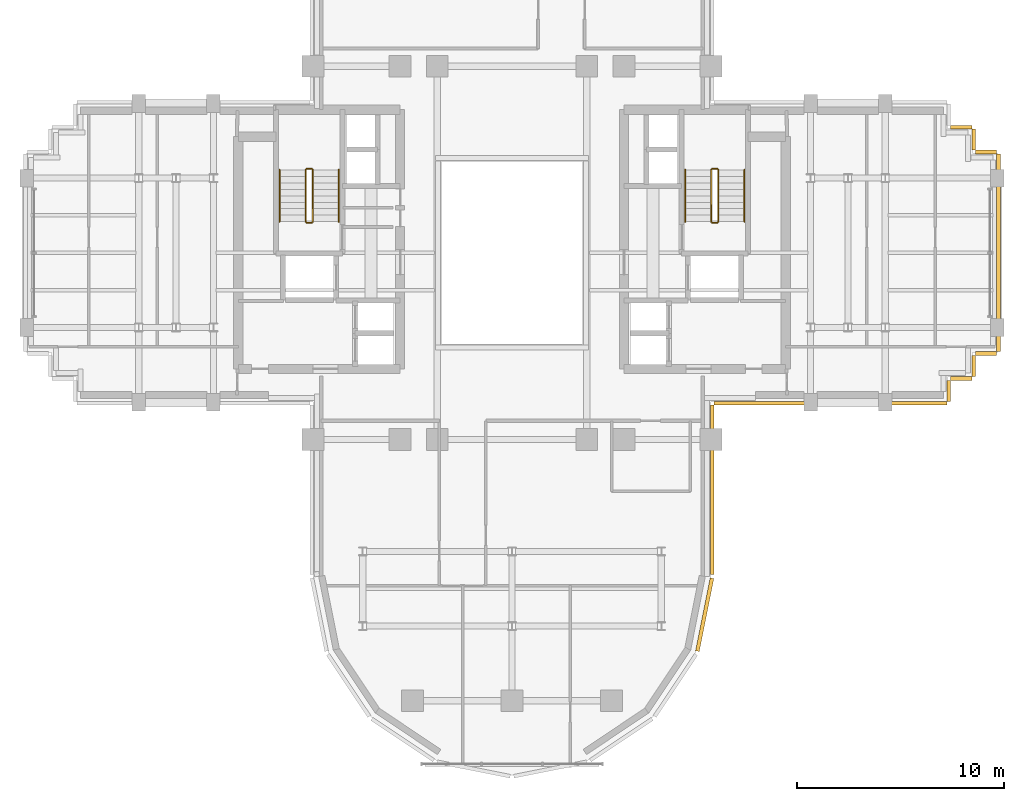
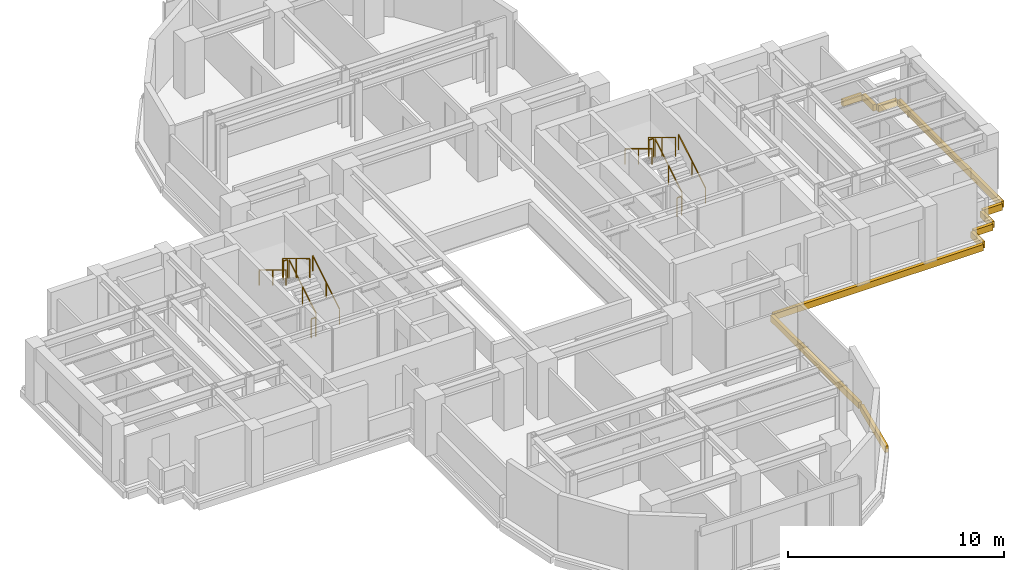
# One storey, part 13 of 14: 12 railings, 11 coverings.
"""IFC4 building model written with IfcOpenShell, lengths in metres."""

from ifc_helpers import new_model, si_unit, direction, frame, origin, origin_2d, place, context, subcontext, project, spatial, rectangle, extrude, source, transform, mapped, material, layer, layer_set, type_object, element, save


model = new_model("IFC4")

# Units and contexts
model_context = context("Model", 3, precision=1e-05, world=origin(), true_north=direction((0.0, 1.0)))
body_context = subcontext(model_context, "Body", "Model", "MODEL_VIEW")
ifc_project = project(units=[si_unit("LENGTHUNIT", "METRE"), si_unit("AREAUNIT", "SQUARE_METRE"), si_unit("VOLUMEUNIT", "CUBIC_METRE"), si_unit("PLANEANGLEUNIT", "RADIAN"), si_unit("MASSUNIT", "GRAM", prefix="KILO")], contexts=[model_context])

# Site, building, storey
site_placement = place(None, origin())
site = spatial("IfcSite", under=ifc_project, at=site_placement, CompositionType="ELEMENT")
building_placement = place(site_placement, origin())
building = spatial("IfcBuilding", under=site, at=building_placement, Name="Keilestroom Media Tower", CompositionType="ELEMENT")
storey_placement = place(building_placement, frame((0.0, 0.0, 117.60009765625)))
storey = spatial("IfcBuildingStorey", under=building, at=storey_placement, Name="L31", CompositionType="ELEMENT", Elevation=117.60009765625)

# Railings
ifc_material_1 = material(Name="Brushed Stainless Steel 1.4301", Category="steel")
railing_type_1 = type_object("IfcRailingType", Name="Stair-Pitch-Handrail-920", PredefinedType="HANDRAIL", material=ifc_material_1)
railing_1_placement = place(storey_placement, frame((-8.35009765625, 1.5, 0.188720703125)))
element("IfcRailing", 1, at=railing_1_placement, inside=storey, type_object=railing_type_1, Name="L31 ST-1 stair handrail 1", PredefinedType="HANDRAIL", context=body_context, shape_type="SweptSolid", body=[
    extrude(rectangle(XDim=0.048095703125, YDim=0.048095703125, at=origin_2d()), frame((0.0, 0.0, 0.8759765625), z_axis=(0.0, 0.855433747314, 0.517912255074), x_axis=(-1.0, 0.0, 0.0)), (0.0, 0.0, 1.0), 2.91796875),
    extrude(rectangle(XDim=0.0419921875, YDim=0.0419921875, at=origin_2d()), origin(), (0.0, 0.0, 1.0), 0.84375),
    extrude(rectangle(XDim=0.0419921875, YDim=0.0419921875, at=origin_2d()), frame((0.0, 1.248046875, 0.755615234375)), (0.0, 0.0, 1.0), 0.84375),
    extrude(rectangle(XDim=0.0419921875, YDim=0.0419921875, at=origin_2d()), frame((0.0, 2.49609375, 1.51123046875)), (0.0, 0.0, 1.0), 0.84375),
])
railing_2_placement = place(storey_placement, frame((-11.2099609375, 3.99609375, 1.888671875)))
element("IfcRailing", 2, at=railing_2_placement, inside=storey, type_object=railing_type_1, Name="L31 ST-1 stair handrail 2", PredefinedType="HANDRAIL", context=body_context, shape_type="SweptSolid", body=[
    extrude(rectangle(XDim=0.048095703125, YDim=0.048095703125, at=origin_2d()), frame((0.0, 0.0, 0.8759765625), z_axis=(0.0, -0.855433747314, 0.517912255074), x_axis=(1.0, 0.0, 0.0)), (0.0, 0.0, 1.0), 2.91796875),
    extrude(rectangle(XDim=0.0419921875, YDim=0.0419921875, at=origin_2d()), origin(), (0.0, 0.0, 1.0), 0.84375),
    extrude(rectangle(XDim=0.0419921875, YDim=0.0419921875, at=origin_2d()), frame((0.0, -1.248046875, 0.755615234375)), (0.0, 0.0, 1.0), 0.84375),
    extrude(rectangle(XDim=0.0419921875, YDim=0.0419921875, at=origin_2d()), frame((0.0, -2.49609375, 1.51123046875)), (0.0, 0.0, 1.0), 0.84375),
])
railing_3_placement = place(storey_placement, frame((11.2099609375, 1.5, 0.188720703125)))
element("IfcRailing", 3, at=railing_3_placement, inside=storey, type_object=railing_type_1, Name="L31 ST-2 stair handrail 1", PredefinedType="HANDRAIL", context=body_context, shape_type="SweptSolid", body=[
    extrude(rectangle(XDim=0.048095703125, YDim=0.048095703125, at=origin_2d()), frame((0.0, 0.0, 0.8759765625), z_axis=(0.0, 0.855433747314, 0.517912255074), x_axis=(-1.0, 0.0, 0.0)), (0.0, 0.0, 1.0), 2.91796875),
    extrude(rectangle(XDim=0.0419921875, YDim=0.0419921875, at=origin_2d()), origin(), (0.0, 0.0, 1.0), 0.84375),
    extrude(rectangle(XDim=0.0419921875, YDim=0.0419921875, at=origin_2d()), frame((0.0, 1.248046875, 0.755615234375)), (0.0, 0.0, 1.0), 0.84375),
    extrude(rectangle(XDim=0.0419921875, YDim=0.0419921875, at=origin_2d()), frame((0.0, 2.49609375, 1.51123046875)), (0.0, 0.0, 1.0), 0.84375),
])
railing_4_placement = place(storey_placement, frame((8.35009765625, 3.99609375, 1.888671875)))
element("IfcRailing", 4, at=railing_4_placement, inside=storey, type_object=railing_type_1, Name="L31 ST-2 stair handrail 2", PredefinedType="HANDRAIL", context=body_context, shape_type="SweptSolid", body=[
    extrude(rectangle(XDim=0.048095703125, YDim=0.048095703125, at=origin_2d()), frame((0.0, 0.0, 0.8759765625), z_axis=(0.0, -0.855433747314, 0.517912255074), x_axis=(1.0, 0.0, 0.0)), (0.0, 0.0, 1.0), 2.91796875),
    extrude(rectangle(XDim=0.0419921875, YDim=0.0419921875, at=origin_2d()), origin(), (0.0, 0.0, 1.0), 0.84375),
    extrude(rectangle(XDim=0.0419921875, YDim=0.0419921875, at=origin_2d()), frame((0.0, -1.248046875, 0.755615234375)), (0.0, 0.0, 1.0), 0.84375),
    extrude(rectangle(XDim=0.0419921875, YDim=0.0419921875, at=origin_2d()), frame((0.0, -2.49609375, 1.51123046875)), (0.0, 0.0, 1.0), 0.84375),
])
ifc_material_2 = material(Name="Painted Steel Balustrade", Category="steel")
railing_type_2 = type_object("IfcRailingType", Name="Stair-Well-And-Landing-Guard-1100", PredefinedType="GUARDRAIL", material=ifc_material_2)
railing_5_placement = place(storey_placement, frame((-9.610107421875, 1.5, 0.188720703125)))
element("IfcRailing", 5, at=railing_5_placement, inside=storey, type_object=railing_type_2, Name="L31 ST-1 stair guard 1", PredefinedType="GUARDRAIL", context=body_context, shape_type="SweptSolid", body=[
    extrude(rectangle(XDim=0.048095703125, YDim=0.048095703125, at=origin_2d()), frame((0.0, 0.0, 1.076171875), z_axis=(0.0, 0.855433747314, 0.517912255074), x_axis=(-1.0, 0.0, 0.0)), (0.0, 0.0, 1.0), 2.91796875),
    extrude(rectangle(XDim=0.0419921875, YDim=0.0419921875, at=origin_2d()), origin(), (0.0, 0.0, 1.0), 1.0439453125),
    extrude(rectangle(XDim=0.0419921875, YDim=0.0419921875, at=origin_2d()), frame((0.0, 1.248046875, 0.755615234375)), (0.0, 0.0, 1.0), 1.0439453125),
    extrude(rectangle(XDim=0.0419921875, YDim=0.0419921875, at=origin_2d()), frame((0.0, 2.49609375, 1.51123046875)), (0.0, 0.0, 1.0), 1.0439453125),
])
railing_6_placement = place(storey_placement, frame((-9.659912109375, 4.0458984375, 1.699951171875)))
element("IfcRailing", 6, at=railing_6_placement, inside=storey, type_object=railing_type_2, Name="L31 ST-1 stair guard 2", PredefinedType="GUARDRAIL", context=body_context, shape_type="SweptSolid", body=[
    extrude(rectangle(XDim=0.048095703125, YDim=0.048095703125, at=origin_2d()), frame((0.0, 0.0, 1.076171875), z_axis=(-1.0, 0.0, 0.0), x_axis=(0.0, -1.0, 0.0)), (0.0, 0.0, 1.0), 0.239990234375),
    extrude(rectangle(XDim=0.0419921875, YDim=0.0419921875, at=origin_2d()), origin(), (0.0, 0.0, 1.0), 1.0439453125),
    extrude(rectangle(XDim=0.0419921875, YDim=0.0419921875, at=origin_2d()), frame((-0.239990234375, 0.0, 0.0)), (0.0, 0.0, 1.0), 1.0439453125),
])
railing_7_placement = place(storey_placement, frame((-9.949951171875, 3.99609375, 1.888671875)))
element("IfcRailing", 7, at=railing_7_placement, inside=storey, type_object=railing_type_2, Name="L31 ST-1 stair guard 3", PredefinedType="GUARDRAIL", context=body_context, shape_type="SweptSolid", body=[
    extrude(rectangle(XDim=0.048095703125, YDim=0.048095703125, at=origin_2d()), frame((0.0, 0.0, 1.076171875), z_axis=(0.0, -0.855433747314, 0.517912255074), x_axis=(1.0, 0.0, 0.0)), (0.0, 0.0, 1.0), 2.91796875),
    extrude(rectangle(XDim=0.0419921875, YDim=0.0419921875, at=origin_2d()), origin(), (0.0, 0.0, 1.0), 1.0439453125),
    extrude(rectangle(XDim=0.0419921875, YDim=0.0419921875, at=origin_2d()), frame((0.0, -1.248046875, 0.755615234375)), (0.0, 0.0, 1.0), 1.0439453125),
    extrude(rectangle(XDim=0.0419921875, YDim=0.0419921875, at=origin_2d()), frame((0.0, -2.49609375, 1.51123046875)), (0.0, 0.0, 1.0), 1.0439453125),
])
railing_8_placement = place(storey_placement, frame((-9.659912109375, 1.449951171875, 0.0)))
element("IfcRailing", 8, at=railing_8_placement, inside=storey, type_object=railing_type_2, Name="L31 ST-1 stair guard 4", PredefinedType="GUARDRAIL", context=body_context, shape_type="SweptSolid", body=[
    extrude(rectangle(XDim=0.048095703125, YDim=0.048095703125, at=origin_2d()), frame((0.0, 0.0, 1.076171875), z_axis=(-1.0, 0.0, 0.0), x_axis=(0.0, -1.0, 0.0)), (0.0, 0.0, 1.0), 0.239990234375),
    extrude(rectangle(XDim=0.0419921875, YDim=0.0419921875, at=origin_2d()), origin(), (0.0, 0.0, 1.0), 1.0439453125),
    extrude(rectangle(XDim=0.0419921875, YDim=0.0419921875, at=origin_2d()), frame((-0.239990234375, 0.0, 0.0)), (0.0, 0.0, 1.0), 1.0439453125),
])
railing_9_placement = place(storey_placement, frame((9.949951171875, 1.5, 0.188720703125)))
element("IfcRailing", 9, at=railing_9_placement, inside=storey, type_object=railing_type_2, Name="L31 ST-2 stair guard 1", PredefinedType="GUARDRAIL", context=body_context, shape_type="SweptSolid", body=[
    extrude(rectangle(XDim=0.048095703125, YDim=0.048095703125, at=origin_2d()), frame((0.0, 0.0, 1.076171875), z_axis=(0.0, 0.855433747314, 0.517912255074), x_axis=(-1.0, 0.0, 0.0)), (0.0, 0.0, 1.0), 2.91796875),
    extrude(rectangle(XDim=0.0419921875, YDim=0.0419921875, at=origin_2d()), origin(), (0.0, 0.0, 1.0), 1.0439453125),
    extrude(rectangle(XDim=0.0419921875, YDim=0.0419921875, at=origin_2d()), frame((0.0, 1.248046875, 0.755615234375)), (0.0, 0.0, 1.0), 1.0439453125),
    extrude(rectangle(XDim=0.0419921875, YDim=0.0419921875, at=origin_2d()), frame((0.0, 2.49609375, 1.51123046875)), (0.0, 0.0, 1.0), 1.0439453125),
])
railing_10_placement = place(storey_placement, frame((9.89990234375, 4.0458984375, 1.699951171875)))
element("IfcRailing", 10, at=railing_10_placement, inside=storey, type_object=railing_type_2, Name="L31 ST-2 stair guard 2", PredefinedType="GUARDRAIL", context=body_context, shape_type="SweptSolid", body=[
    extrude(rectangle(XDim=0.048095703125, YDim=0.048095703125, at=origin_2d()), frame((0.0, 0.0, 1.076171875), z_axis=(-1.0, 0.0, 0.0), x_axis=(0.0, -1.0, 0.0)), (0.0, 0.0, 1.0), 0.239990234375),
    extrude(rectangle(XDim=0.0419921875, YDim=0.0419921875, at=origin_2d()), origin(), (0.0, 0.0, 1.0), 1.0439453125),
    extrude(rectangle(XDim=0.0419921875, YDim=0.0419921875, at=origin_2d()), frame((-0.239990234375, 0.0, 0.0)), (0.0, 0.0, 1.0), 1.0439453125),
])
railing_11_placement = place(storey_placement, frame((9.610107421875, 3.99609375, 1.888671875)))
element("IfcRailing", 11, at=railing_11_placement, inside=storey, type_object=railing_type_2, Name="L31 ST-2 stair guard 3", PredefinedType="GUARDRAIL", context=body_context, shape_type="SweptSolid", body=[
    extrude(rectangle(XDim=0.048095703125, YDim=0.048095703125, at=origin_2d()), frame((0.0, 0.0, 1.076171875), z_axis=(0.0, -0.855433747314, 0.517912255074), x_axis=(1.0, 0.0, 0.0)), (0.0, 0.0, 1.0), 2.91796875),
    extrude(rectangle(XDim=0.0419921875, YDim=0.0419921875, at=origin_2d()), origin(), (0.0, 0.0, 1.0), 1.0439453125),
    extrude(rectangle(XDim=0.0419921875, YDim=0.0419921875, at=origin_2d()), frame((0.0, -1.248046875, 0.755615234375)), (0.0, 0.0, 1.0), 1.0439453125),
    extrude(rectangle(XDim=0.0419921875, YDim=0.0419921875, at=origin_2d()), frame((0.0, -2.49609375, 1.51123046875)), (0.0, 0.0, 1.0), 1.0439453125),
])
railing_12_placement = place(storey_placement, frame((9.89990234375, 1.449951171875, 0.0)))
element("IfcRailing", 12, at=railing_12_placement, inside=storey, type_object=railing_type_2, Name="L31 ST-2 stair guard 4", PredefinedType="GUARDRAIL", context=body_context, shape_type="SweptSolid", body=[
    extrude(rectangle(XDim=0.048095703125, YDim=0.048095703125, at=origin_2d()), frame((0.0, 0.0, 1.076171875), z_axis=(-1.0, 0.0, 0.0), x_axis=(0.0, -1.0, 0.0)), (0.0, 0.0, 1.0), 0.239990234375),
    extrude(rectangle(XDim=0.0419921875, YDim=0.0419921875, at=origin_2d()), origin(), (0.0, 0.0, 1.0), 1.0439453125),
    extrude(rectangle(XDim=0.0419921875, YDim=0.0419921875, at=origin_2d()), frame((-0.239990234375, 0.0, 0.0)), (0.0, 0.0, 1.0), 1.0439453125),
])

# Coverings
ifc_material_3 = material(Name="Precast concrete C40/50", Category="concrete")
ifc_layer = layer(ifc_material_3, 0.1201171875)
ifc_layer_set = layer_set([ifc_layer], Name="Precast concrete C40/50")
covering_type = type_object("IfcCoveringType", Name="Exterior-Precast-Spandrel-Cladding-Panel-120", PredefinedType="CLADDING", material=ifc_layer_set)
shared_shape_1 = source(origin(), body_context, "Body", "SweptSolid", [
    extrude(rectangle(XDim=1.02001953125, YDim=0.179931640625, at=origin_2d()), origin(), (0.0, 0.0, 1.0), 0.360107421875),
])
for number, where, z_axis, x_axis, name in (
    (13, (22.860107421875, -4.860107421875, -0.5400390625), (0.0, 0.0, 1.0), (-1.0, 0.0, 0.0), "L31 Precast Slab-Edge Fascia Cornice 01"),
    (14, (22.260009765625, -5.4599609375, -0.5400390625), (0.0, 0.0, 1.0), (0.0, -1.0, 0.0), "L31 Precast Slab-Edge Fascia Cornice 02"),
    (15, (21.659912109375, -6.06005859375, -0.5400390625), (0.0, 0.0, 1.0), (-1.0, 0.0, 0.0), "L31 Precast Slab-Edge Fascia Cornice 03"),
    (16, (21.06005859375, -6.659912109375, -0.5400390625), (0.0, 0.0, 1.0), (0.0, -1.0, 0.0), "L31 Precast Slab-Edge Fascia Cornice 04"),
    (17, (21.659912109375, 6.06005859375, -0.5400390625), (0.0, 0.0, 1.0), (1.0, 0.0, 0.0), "L31 Precast Slab-Edge Fascia Cornice 39"),
    (18, (22.260009765625, 5.4599609375, -0.5400390625), (0.0, 0.0, 1.0), (0.0, -1.0, 0.0), "L31 Precast Slab-Edge Fascia Cornice 40"),
    (19, (22.860107421875, 4.860107421875, -0.5400390625), (0.0, 0.0, 1.0), (1.0, 0.0, 0.0), "L31 Precast Slab-Edge Fascia Cornice 41"),
):
    element("IfcCovering", number, at=place(storey_placement, frame(where, z_axis=z_axis, x_axis=x_axis)), inside=storey, type_object=covering_type, Name=name, PredefinedType="CLADDING", context=body_context, shape_type="MappedRepresentation", body=[
        mapped(shared_shape_1, transform((0.0, 0.0, 0.0), x_axis=(1.0, 0.0, 0.0), y_axis=(0.0, 1.0, 0.0), z_axis=(0.0, 0.0, 1.0), scale=1.0)),
    ])
shared_shape_2 = source(origin(), body_context, "Body", "SweptSolid", [
    extrude(rectangle(XDim=8.166015625, YDim=0.179931640625, at=origin_2d()), origin(), (0.0, 0.0, 1.0), 0.360107421875),
])
covering_1_placement = place(storey_placement, frame((9.659912109375, -11.43310546875, -0.5400390625), z_axis=(0.0, 0.0, 1.0), x_axis=(0.0, -1.0, 0.0)))
element("IfcCovering", 20, at=covering_1_placement, inside=storey, type_object=covering_type, Name="L31 Precast Slab-Edge Fascia Cornice 06", PredefinedType="CLADDING", context=body_context, shape_type="MappedRepresentation", body=[
    mapped(shared_shape_2, transform((0.0, 0.0, 0.0), x_axis=(1.0, 0.0, 0.0), y_axis=(0.0, 1.0, 0.0), z_axis=(0.0, 0.0, 1.0), scale=1.0)),
])
shared_shape_3 = source(origin(), body_context, "Body", "SweptSolid", [
    extrude(rectangle(XDim=3.58349609375, YDim=0.179931640625, at=origin_2d()), origin(), (0.0, 0.0, 1.0), 0.360107421875),
])
covering_2_placement = place(storey_placement, frame((9.29296875, -17.45166015625, -0.5400390625), z_axis=(0.0, 0.0, 1.0), x_axis=(-0.195098880975, -0.980783577882, 0.0)))
element("IfcCovering", 21, at=covering_2_placement, inside=storey, type_object=covering_type, Name="L31 Precast Slab-Edge Fascia Cornice 07", PredefinedType="CLADDING", context=body_context, shape_type="MappedRepresentation", body=[
    mapped(shared_shape_3, transform((0.0, 0.0, 0.0), x_axis=(1.0, 0.0, 0.0), y_axis=(0.0, 1.0, 0.0), z_axis=(0.0, 0.0, 1.0), scale=1.0)),
])
shared_shape_4 = source(origin(), body_context, "Body", "SweptSolid", [
    extrude(rectangle(XDim=9.5400390625, YDim=0.179931640625, at=origin_2d()), origin(), (0.0, 0.0, 1.0), 0.360107421875),
])
covering_3_placement = place(storey_placement, frame((23.4599609375, 0.0, -0.5400390625), z_axis=(0.0, 0.0, 1.0), x_axis=(0.0, -1.0, 0.0)))
element("IfcCovering", 22, at=covering_3_placement, inside=storey, type_object=covering_type, Name="L31 Precast Slab-Edge Fascia Cornice 42", PredefinedType="CLADDING", context=body_context, shape_type="MappedRepresentation", body=[
    mapped(shared_shape_4, transform((0.0, 0.0, 0.0), x_axis=(1.0, 0.0, 0.0), y_axis=(0.0, 1.0, 0.0), z_axis=(0.0, 0.0, 1.0), scale=1.0)),
])
shared_shape_5 = source(origin(), body_context, "Body", "SweptSolid", [
    extrude(rectangle(XDim=11.219970703125, YDim=0.179931640625, at=origin_2d()), origin(), (0.0, 0.0, 1.0), 0.360107421875),
])
covering_4_placement = place(storey_placement, frame((15.360107421875, -7.260009765625, -0.5400390625), z_axis=(0.0, 0.0, 1.0), x_axis=(-1.0, 0.0, 0.0)))
element("IfcCovering", 23, at=covering_4_placement, inside=storey, type_object=covering_type, Name="L31 Precast Slab-Edge Fascia Cornice 05", PredefinedType="CLADDING", context=body_context, shape_type="MappedRepresentation", body=[
    mapped(shared_shape_5, transform((0.0, 0.0, 0.0), x_axis=(1.0, 0.0, 0.0), y_axis=(0.0, 1.0, 0.0), z_axis=(0.0, 0.0, 1.0), scale=1.0)),
])

save(model, "model.ifc")
